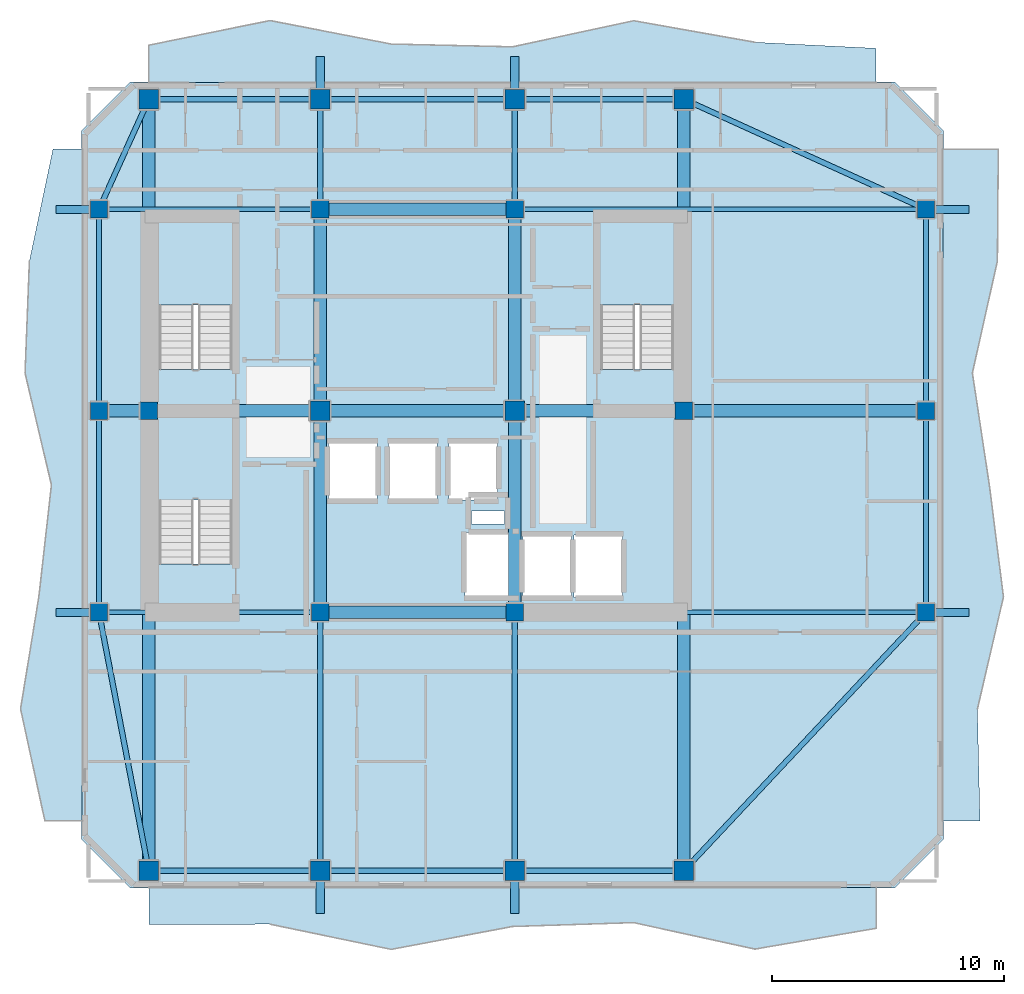
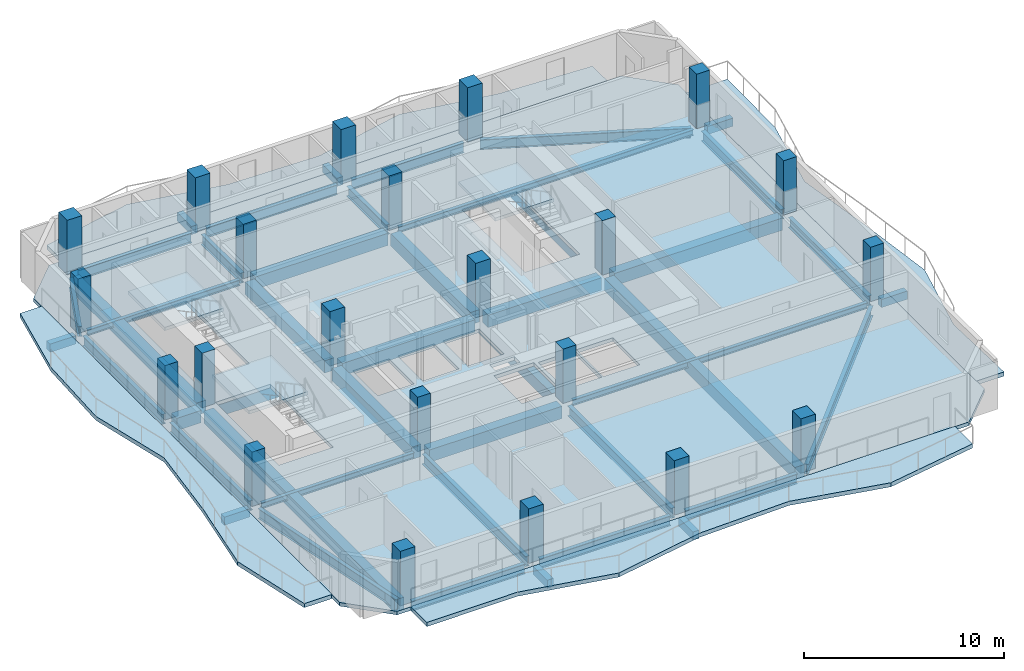
# One storey, part 1 of 9: 45 beams, 22 columns, 8 slabs, 3 elements without a shape of their own.
"""IFC4 building model written with IfcOpenShell, lengths in metres."""

from ifc_helpers import new_model, si_unit, direction, frame, origin, origin_2d, place, context, subcontext, project, spatial, polyline, rectangle, i_section, outline, extrude, material, layer, layer_set, material_profile, profile_set, type_object, element, aggregate, save


model = new_model("IFC4")

# Units and contexts
model_context = context("Model", 3, precision=1e-05, world=origin(), true_north=direction((0.0, 1.0)))
body_context = subcontext(model_context, "Body", "Model", "MODEL_VIEW")
ifc_project = project(units=[si_unit("LENGTHUNIT", "METRE"), si_unit("AREAUNIT", "SQUARE_METRE"), si_unit("VOLUMEUNIT", "CUBIC_METRE"), si_unit("PLANEANGLEUNIT", "RADIAN"), si_unit("MASSUNIT", "GRAM", prefix="KILO")], contexts=[model_context])

# Site, building, storey
site_placement = place(None, origin())
site = spatial("IfcSite", under=ifc_project, at=site_placement, CompositionType="ELEMENT")
building_placement = place(site_placement, origin())
building = spatial("IfcBuilding", under=site, at=building_placement, Name="Solanera Arch Residences", CompositionType="ELEMENT")
storey_placement = place(building_placement, frame((0.0, 0.0, 223.360107421875)))
storey = spatial("IfcBuildingStorey", under=building, at=storey_placement, Name="L65", CompositionType="ELEMENT", Elevation=223.360107421875)

# Columns
ifc_material_1 = material(Name="Concrete C40/50 (f'c = 45 MPa)", Category="concrete")
ifc_material_profile_1 = material_profile(ifc_material_1, rectangle(XDim=0.75, YDim=0.75, at=origin_2d()))
ifc_profile_set_1 = profile_set([ifc_material_profile_1], Name="Concrete C40/50 (f'c = 45 MPa)")
column_type_1 = type_object("IfcColumnType", Name="Structural Column RC-COL-750X750", PredefinedType="COLUMN", material=ifc_profile_set_1)
for number, where, z_axis, x_axis, name in (
    (1, (20.800048828125, 22.0, 0.0), (0.0, 0.0, 1.0), (1.0, 0.0, 0.0), "COL-L65-CB-SW"),
    (2, (29.199951171875, 22.0, 0.0), (0.0, 0.0, 1.0), (1.0, 0.0, 0.0), "COL-L65-CB-SE"),
    (3, (20.800048828125, 39.39990234375, 0.0), (0.0, 0.0, 1.0), (1.0, 0.0, 0.0), "COL-L65-CB-NW"),
    (4, (29.199951171875, 39.39990234375, 0.0), (0.0, 0.0, 1.0), (1.0, 0.0, 0.0), "COL-L65-CB-NE"),
    (5, (13.39990234375, 30.699951171875, 0.0), (0.0, 0.0, 1.0), (1.0, 0.0, 0.0), "COL-L65-CB-WW"),
    (6, (36.5, 30.699951171875, 0.0), (0.0, 0.0, 1.0), (1.0, 0.0, 0.0), "COL-L65-CB-EE"),
    (7, (11.25, 22.0, 0.0), (0.0, 0.0, 1.0), (1.0, 0.0, 0.0), "COL-L65-TWR-09"),
    (8, (46.949951171875, 22.0, 0.0), (0.0, 0.0, 1.0), (1.0, 0.0, 0.0), "COL-L65-TWR-10"),
    (9, (11.25, 30.699951171875, 0.0), (0.0, 0.0, 1.0), (1.0, 0.0, 0.0), "COL-L65-TWR-11"),
    (10, (46.949951171875, 30.699951171875, 0.0), (0.0, 0.0, 1.0), (1.0, 0.0, 0.0), "COL-L65-TWR-12"),
    (11, (11.25, 39.39990234375, 0.0), (0.0, 0.0, 1.0), (1.0, 0.0, 0.0), "COL-L65-TWR-13"),
    (12, (46.949951171875, 39.39990234375, 0.0), (0.0, 0.0, 1.0), (1.0, 0.0, 0.0), "COL-L65-TWR-14"),
):
    element("IfcColumn", number, at=place(storey_placement, frame(where, z_axis=z_axis, x_axis=x_axis)), inside=storey, type_object=column_type_1, Name=name, PredefinedType="COLUMN", context=body_context, shape_type="SweptSolid", body=[
        extrude(rectangle(XDim=0.75, YDim=0.75, at=origin_2d()), origin(), (0.0, 0.0, 1.0), 3.31982421875),
    ])
ifc_material_2 = material(Name="Concrete C40/50 (f'c = 45 MPa)", Category="concrete")
ifc_material_profile_2 = material_profile(ifc_material_2, rectangle(XDim=0.85009765625, YDim=0.85009765625, at=origin_2d()))
ifc_profile_set_2 = profile_set([ifc_material_profile_2], Name="Concrete C40/50 (f'c = 45 MPa)")
column_type_2 = type_object("IfcColumnType", Name="Structural Column RC-COL-850X850", PredefinedType="COLUMN", material=ifc_profile_set_2)
for number, where, z_axis, x_axis, name in (
    (13, (20.800048828125, 30.699951171875, 0.0), (0.0, 0.0, 1.0), (1.0, 0.0, 0.0), "COL-L65-CORE-W"),
    (14, (29.199951171875, 30.699951171875, 0.0), (0.0, 0.0, 1.0), (1.0, 0.0, 0.0), "COL-L65-CORE-E"),
    (15, (13.39990234375, 10.85009765625, 0.0), (0.0, 0.0, 1.0), (1.0, 0.0, 0.0), "COL-L65-TWR-01"),
    (16, (13.39990234375, 44.14990234375, 0.0), (0.0, 0.0, 1.0), (1.0, 0.0, 0.0), "COL-L65-TWR-02"),
    (17, (20.800048828125, 10.85009765625, 0.0), (0.0, 0.0, 1.0), (1.0, 0.0, 0.0), "COL-L65-TWR-03"),
    (18, (20.800048828125, 44.14990234375, 0.0), (0.0, 0.0, 1.0), (1.0, 0.0, 0.0), "COL-L65-TWR-04"),
    (19, (29.199951171875, 10.85009765625, 0.0), (0.0, 0.0, 1.0), (1.0, 0.0, 0.0), "COL-L65-TWR-05"),
    (20, (29.199951171875, 44.14990234375, 0.0), (0.0, 0.0, 1.0), (1.0, 0.0, 0.0), "COL-L65-TWR-06"),
    (21, (36.5, 10.85009765625, 0.0), (0.0, 0.0, 1.0), (1.0, 0.0, 0.0), "COL-L65-TWR-07"),
    (22, (36.5, 44.14990234375, 0.0), (0.0, 0.0, 1.0), (1.0, 0.0, 0.0), "COL-L65-TWR-08"),
):
    element("IfcColumn", number, at=place(storey_placement, frame(where, z_axis=z_axis, x_axis=x_axis)), inside=storey, type_object=column_type_2, Name=name, PredefinedType="COLUMN", context=body_context, shape_type="SweptSolid", body=[
        extrude(rectangle(XDim=0.85009765625, YDim=0.85009765625, at=origin_2d()), origin(), (0.0, 0.0, 1.0), 3.31982421875),
    ])

# Beams
ifc_material_3 = material(Name="Concrete C40/50 (f'c = 45 MPa)", Category="concrete")
ifc_material_profile_3 = material_profile(ifc_material_3, rectangle(XDim=0.35009765625, YDim=0.5, at=origin_2d()))
ifc_profile_set_3 = profile_set([ifc_material_profile_3], Name="Concrete C40/50 (f'c = 45 MPa)")
beam_type_1 = type_object("IfcBeamType", Name="BM-BALC-RIB", PredefinedType="BEAM", material=ifc_profile_set_3)
for number, where, z_axis, x_axis, name in (
    (23, (20.800048828125, 9.0, -0.5), (0.0, 1.0, 0.0), (-1.0, 0.0, 0.0), "BM-L65-BRIB-S1"),
    (24, (29.199951171875, 9.0, -0.5), (0.0, 1.0, 0.0), (-1.0, 0.0, 0.0), "BM-L65-BRIB-S2"),
    (25, (20.800048828125, 44.574951171875, -0.5), (0.0, 1.0, 0.0), (-1.0, 0.0, 0.0), "BM-L65-BRIB-N1"),
    (26, (29.199951171875, 44.574951171875, -0.5), (0.0, 1.0, 0.0), (-1.0, 0.0, 0.0), "BM-L65-BRIB-N2"),
):
    element("IfcBeam", number, at=place(storey_placement, frame(where, z_axis=z_axis, x_axis=x_axis)), inside=storey, type_object=beam_type_1, Name=name, PredefinedType="BEAM", context=body_context, shape_type="SweptSolid", body=[
        extrude(rectangle(XDim=0.35009765625, YDim=0.5, at=origin_2d()), origin(), (0.0, 0.0, 1.0), 1.425048828125),
    ])
for number, where, z_axis, x_axis, name in (
    (27, (47.324951171875, 22.0, -0.5), (1.0, 0.0, 0.0), (0.0, 1.0, 0.0), "BM-L65-BRIB-E1"),
    (28, (47.324951171875, 39.39990234375, -0.5), (1.0, 0.0, 0.0), (0.0, 1.0, 0.0), "BM-L65-BRIB-E2"),
    (29, (9.39990234375, 22.0, -0.5), (1.0, 0.0, 0.0), (0.0, 1.0, 0.0), "BM-L65-BRIB-W1"),
    (30, (9.39990234375, 39.39990234375, -0.5), (1.0, 0.0, 0.0), (0.0, 1.0, 0.0), "BM-L65-BRIB-W2"),
):
    element("IfcBeam", number, at=place(storey_placement, frame(where, z_axis=z_axis, x_axis=x_axis)), inside=storey, type_object=beam_type_1, Name=name, PredefinedType="BEAM", context=body_context, shape_type="SweptSolid", body=[
        extrude(rectangle(XDim=0.35009765625, YDim=0.5, at=origin_2d()), origin(), (0.0, 0.0, 1.0), 1.47509765625),
    ])
ifc_material_4 = material(Name="Concrete C40/50 (f'c = 45 MPa)", Category="concrete")
ifc_material_profile_4 = material_profile(ifc_material_4, rectangle(XDim=0.550048828125, YDim=0.75, at=origin_2d()))
ifc_profile_set_4 = profile_set([ifc_material_profile_4], Name="Concrete C40/50 (f'c = 45 MPa)")
beam_type_2 = type_object("IfcBeamType", Name="Primary Beam RC-BM-550X750", PredefinedType="BEAM", material=ifc_profile_set_4)
beam_1_placement = place(storey_placement, frame((20.800048828125, 22.37890625, -0.59521484375), z_axis=(0.0, 1.0, 0.0), x_axis=(-1.0, 0.0, 0.0)))
element("IfcBeam", 31, at=beam_1_placement, inside=storey, type_object=beam_type_2, Name="BM-L65-CC-S-208", PredefinedType="BEAM", context=body_context, shape_type="SweptSolid", body=[
    extrude(rectangle(XDim=0.550048828125, YDim=0.75, at=origin_2d()), origin(), (0.0, 0.0, 1.0), 7.942138671875),
])
beam_2_placement = place(storey_placement, frame((20.800048828125, 31.0791015625, -0.59521484375), z_axis=(0.0, 1.0, 0.0), x_axis=(-1.0, 0.0, 0.0)))
element("IfcBeam", 32, at=beam_2_placement, inside=storey, type_object=beam_type_2, Name="BM-L65-CC-N-208", PredefinedType="BEAM", context=body_context, shape_type="SweptSolid", body=[
    extrude(rectangle(XDim=0.550048828125, YDim=0.75, at=origin_2d()), origin(), (0.0, 0.0, 1.0), 7.94189453125),
])
beam_3_placement = place(storey_placement, frame((29.199951171875, 22.37890625, -0.59521484375), z_axis=(0.0, 1.0, 0.0), x_axis=(-1.0, 0.0, 0.0)))
element("IfcBeam", 33, at=beam_3_placement, inside=storey, type_object=beam_type_2, Name="BM-L65-CC-S-292", PredefinedType="BEAM", context=body_context, shape_type="SweptSolid", body=[
    extrude(rectangle(XDim=0.550048828125, YDim=0.75, at=origin_2d()), origin(), (0.0, 0.0, 1.0), 7.942138671875),
])
beam_4_placement = place(storey_placement, frame((29.199951171875, 31.0791015625, -0.59521484375), z_axis=(0.0, 1.0, 0.0), x_axis=(-1.0, 0.0, 0.0)))
element("IfcBeam", 34, at=beam_4_placement, inside=storey, type_object=beam_type_2, Name="BM-L65-CC-N-292", PredefinedType="BEAM", context=body_context, shape_type="SweptSolid", body=[
    extrude(rectangle(XDim=0.550048828125, YDim=0.75, at=origin_2d()), origin(), (0.0, 0.0, 1.0), 7.94189453125),
])
for number, where, z_axis, x_axis, name in (
    (35, (21.178955078125, 22.0, -0.59521484375), (1.0, 0.0, 0.0), (0.0, 1.0, 0.0), "BM-L65-CC-M-220"),
    (36, (21.178955078125, 30.699951171875, -0.59521484375), (1.0, 0.0, 0.0), (0.0, 1.0, 0.0), "BM-L65-CC-M-307"),
    (37, (21.178955078125, 39.39990234375, -0.59521484375), (1.0, 0.0, 0.0), (0.0, 1.0, 0.0), "BM-L65-CC-M-394"),
):
    element("IfcBeam", number, at=place(storey_placement, frame(where, z_axis=z_axis, x_axis=x_axis)), inside=storey, type_object=beam_type_2, Name=name, PredefinedType="BEAM", context=body_context, shape_type="SweptSolid", body=[
        extrude(rectangle(XDim=0.550048828125, YDim=0.75, at=origin_2d()), origin(), (0.0, 0.0, 1.0), 7.64208984375),
    ])
beam_5_placement = place(storey_placement, frame((13.779052734375, 30.699951171875, -0.59521484375), z_axis=(1.0, 0.0, 0.0), x_axis=(0.0, 1.0, 0.0)))
element("IfcBeam", 38, at=beam_5_placement, inside=storey, type_object=beam_type_2, Name="BM-L65-CC-W", PredefinedType="BEAM", context=body_context, shape_type="SweptSolid", body=[
    extrude(rectangle(XDim=0.550048828125, YDim=0.75, at=origin_2d()), origin(), (0.0, 0.0, 1.0), 6.641845703125),
])
beam_6_placement = place(storey_placement, frame((29.5791015625, 30.699951171875, -0.59521484375), z_axis=(1.0, 0.0, 0.0), x_axis=(0.0, 1.0, 0.0)))
element("IfcBeam", 39, at=beam_6_placement, inside=storey, type_object=beam_type_2, Name="BM-L65-CC-E", PredefinedType="BEAM", context=body_context, shape_type="SweptSolid", body=[
    extrude(rectangle(XDim=0.550048828125, YDim=0.75, at=origin_2d()), origin(), (0.0, 0.0, 1.0), 6.5419921875),
])
beam_7_placement = place(storey_placement, frame((13.39990234375, 11.279052734375, -0.59521484375), z_axis=(0.0, 1.0, 0.0), x_axis=(-1.0, 0.0, 0.0)))
element("IfcBeam", 40, at=beam_7_placement, inside=storey, type_object=beam_type_2, Name="BM-L65-RAD-OS-134", PredefinedType="BEAM", context=body_context, shape_type="SweptSolid", body=[
    extrude(rectangle(XDim=0.550048828125, YDim=0.75, at=origin_2d()), origin(), (0.0, 0.0, 1.0), 19.0419921875),
])
beam_8_placement = place(storey_placement, frame((13.39990234375, 31.0791015625, -0.59521484375), z_axis=(0.0, 1.0, 0.0), x_axis=(-1.0, 0.0, 0.0)))
element("IfcBeam", 41, at=beam_8_placement, inside=storey, type_object=beam_type_2, Name="BM-L65-RAD-ON-134", PredefinedType="BEAM", context=body_context, shape_type="SweptSolid", body=[
    extrude(rectangle(XDim=0.550048828125, YDim=0.75, at=origin_2d()), origin(), (0.0, 0.0, 1.0), 12.641845703125),
])
beam_9_placement = place(storey_placement, frame((36.5, 11.279052734375, -0.59521484375), z_axis=(0.0, 1.0, 0.0), x_axis=(-1.0, 0.0, 0.0)))
element("IfcBeam", 42, at=beam_9_placement, inside=storey, type_object=beam_type_2, Name="BM-L65-RAD-OS-365", PredefinedType="BEAM", context=body_context, shape_type="SweptSolid", body=[
    extrude(rectangle(XDim=0.550048828125, YDim=0.75, at=origin_2d()), origin(), (0.0, 0.0, 1.0), 19.0419921875),
])
beam_10_placement = place(storey_placement, frame((36.5, 31.0791015625, -0.59521484375), z_axis=(0.0, 1.0, 0.0), x_axis=(-1.0, 0.0, 0.0)))
element("IfcBeam", 43, at=beam_10_placement, inside=storey, type_object=beam_type_2, Name="BM-L65-RAD-ON-365", PredefinedType="BEAM", context=body_context, shape_type="SweptSolid", body=[
    extrude(rectangle(XDim=0.550048828125, YDim=0.75, at=origin_2d()), origin(), (0.0, 0.0, 1.0), 12.641845703125),
])
beam_11_placement = place(storey_placement, frame((11.62890625, 30.699951171875, -0.59521484375), z_axis=(1.0, 0.0, 0.0), x_axis=(0.0, 1.0, 0.0)))
element("IfcBeam", 44, at=beam_11_placement, inside=storey, type_object=beam_type_2, Name="BM-L65-RAD-MW", PredefinedType="BEAM", context=body_context, shape_type="SweptSolid", body=[
    extrude(rectangle(XDim=0.550048828125, YDim=0.75, at=origin_2d()), origin(), (0.0, 0.0, 1.0), 1.39208984375),
])
beam_12_placement = place(storey_placement, frame((36.87890625, 30.699951171875, -0.59521484375), z_axis=(1.0, 0.0, 0.0), x_axis=(0.0, 1.0, 0.0)))
element("IfcBeam", 45, at=beam_12_placement, inside=storey, type_object=beam_type_2, Name="BM-L65-RAD-ME", PredefinedType="BEAM", context=body_context, shape_type="SweptSolid", body=[
    extrude(rectangle(XDim=0.550048828125, YDim=0.75, at=origin_2d()), origin(), (0.0, 0.0, 1.0), 9.692138671875),
])
ifc_material_5 = material(Name="Steel S355 (ASTM A992 / A572 Grade 50)", Category="steel")
ifc_material_profile_5 = material_profile(ifc_material_5, i_section(OverallWidth=0.22998046875, OverallDepth=0.616943359375, WebThickness=0.01318359375, FlangeThickness=0.022216796875, at=origin_2d()))
ifc_profile_set_5 = profile_set([ifc_material_profile_5], Name="Steel S355 (ASTM A992 / A572 Grade 50)")
beam_type_3 = type_object("IfcBeamType", Name="Primary Beam W610X140", PredefinedType="BEAM", material=ifc_profile_set_5)
beam_13_placement = place(storey_placement, frame((20.800048828125, 11.279052734375, -0.529052734375), z_axis=(0.0, 1.0, 0.0), x_axis=(-1.0, 0.0, 0.0)))
element("IfcBeam", 46, at=beam_13_placement, inside=storey, type_object=beam_type_3, Name="BM-L65-RAD-S-208", PredefinedType="BEAM", context=body_context, shape_type="SweptSolid", body=[
    extrude(i_section(OverallWidth=0.22998046875, OverallDepth=0.616943359375, WebThickness=0.01318359375, FlangeThickness=0.022216796875, at=origin_2d()), origin(), (0.0, 0.0, 1.0), 10.342041015625),
])
beam_14_placement = place(storey_placement, frame((20.800048828125, 39.779052734375, -0.529052734375), z_axis=(0.0, 1.0, 0.0), x_axis=(-1.0, 0.0, 0.0)))
element("IfcBeam", 47, at=beam_14_placement, inside=storey, type_object=beam_type_3, Name="BM-L65-RAD-N-208", PredefinedType="BEAM", context=body_context, shape_type="SweptSolid", body=[
    extrude(i_section(OverallWidth=0.22998046875, OverallDepth=0.616943359375, WebThickness=0.01318359375, FlangeThickness=0.022216796875, at=origin_2d()), origin(), (0.0, 0.0, 1.0), 3.94189453125),
])
beam_15_placement = place(storey_placement, frame((29.199951171875, 11.279052734375, -0.529052734375), z_axis=(0.0, 1.0, 0.0), x_axis=(-1.0, 0.0, 0.0)))
element("IfcBeam", 48, at=beam_15_placement, inside=storey, type_object=beam_type_3, Name="BM-L65-RAD-S-292", PredefinedType="BEAM", context=body_context, shape_type="SweptSolid", body=[
    extrude(i_section(OverallWidth=0.22998046875, OverallDepth=0.616943359375, WebThickness=0.01318359375, FlangeThickness=0.022216796875, at=origin_2d()), origin(), (0.0, 0.0, 1.0), 10.342041015625),
])
beam_16_placement = place(storey_placement, frame((29.199951171875, 39.779052734375, -0.529052734375), z_axis=(0.0, 1.0, 0.0), x_axis=(-1.0, 0.0, 0.0)))
element("IfcBeam", 49, at=beam_16_placement, inside=storey, type_object=beam_type_3, Name="BM-L65-RAD-N-292", PredefinedType="BEAM", context=body_context, shape_type="SweptSolid", body=[
    extrude(i_section(OverallWidth=0.22998046875, OverallDepth=0.616943359375, WebThickness=0.01318359375, FlangeThickness=0.022216796875, at=origin_2d()), origin(), (0.0, 0.0, 1.0), 3.94189453125),
])
ifc_material_6 = material(Name="Steel S355 (ASTM A992 / A572 Grade 50)", Category="steel")
ifc_material_profile_6 = material_profile(ifc_material_6, i_section(OverallWidth=0.205078125, OverallDepth=0.35400390625, WebThickness=0.009521484375, FlangeThickness=0.016845703125, at=origin_2d()))
ifc_profile_set_6 = profile_set([ifc_material_profile_6], Name="Steel S355 (ASTM A992 / A572 Grade 50)")
beam_type_4 = type_object("IfcBeamType", Name="Secondary Joist W360X79", PredefinedType="JOIST", material=ifc_profile_set_6)
beam_17_placement = place(storey_placement, frame((11.62890625, 22.0, -0.397216796875), z_axis=(1.0, 0.0, 0.0), x_axis=(0.0, 1.0, 0.0)))
element("IfcBeam", 50, at=beam_17_placement, inside=storey, type_object=beam_type_4, Name="BM-L65-RAD-W-220", PredefinedType="JOIST", context=body_context, shape_type="SweptSolid", body=[
    extrude(i_section(OverallWidth=0.205078125, OverallDepth=0.35400390625, WebThickness=0.009521484375, FlangeThickness=0.016845703125, at=origin_2d()), origin(), (0.0, 0.0, 1.0), 8.7919921875),
])
beam_18_placement = place(storey_placement, frame((29.5791015625, 22.0, -0.397216796875), z_axis=(1.0, 0.0, 0.0), x_axis=(0.0, 1.0, 0.0)))
element("IfcBeam", 51, at=beam_18_placement, inside=storey, type_object=beam_type_4, Name="BM-L65-RAD-E-220", PredefinedType="JOIST", context=body_context, shape_type="SweptSolid", body=[
    extrude(i_section(OverallWidth=0.205078125, OverallDepth=0.35400390625, WebThickness=0.009521484375, FlangeThickness=0.016845703125, at=origin_2d()), origin(), (0.0, 0.0, 1.0), 16.991943359375),
])
beam_19_placement = place(storey_placement, frame((11.62890625, 39.39990234375, -0.397216796875), z_axis=(1.0, 0.0, 0.0), x_axis=(0.0, 1.0, 0.0)))
element("IfcBeam", 52, at=beam_19_placement, inside=storey, type_object=beam_type_4, Name="BM-L65-RAD-W-394", PredefinedType="JOIST", context=body_context, shape_type="SweptSolid", body=[
    extrude(i_section(OverallWidth=0.205078125, OverallDepth=0.35400390625, WebThickness=0.009521484375, FlangeThickness=0.016845703125, at=origin_2d()), origin(), (0.0, 0.0, 1.0), 8.7919921875),
])
beam_20_placement = place(storey_placement, frame((29.5791015625, 39.39990234375, -0.397216796875), z_axis=(1.0, 0.0, 0.0), x_axis=(0.0, 1.0, 0.0)))
element("IfcBeam", 53, at=beam_20_placement, inside=storey, type_object=beam_type_4, Name="BM-L65-RAD-E-394", PredefinedType="JOIST", context=body_context, shape_type="SweptSolid", body=[
    extrude(i_section(OverallWidth=0.205078125, OverallDepth=0.35400390625, WebThickness=0.009521484375, FlangeThickness=0.016845703125, at=origin_2d()), origin(), (0.0, 0.0, 1.0), 16.991943359375),
])
ifc_material_7 = material(Name="Steel S355 (ASTM A992 / A572 Grade 50)", Category="steel")
ifc_material_profile_7 = material_profile(ifc_material_7, i_section(OverallWidth=0.22802734375, OverallDepth=0.60791015625, WebThickness=0.01123046875, FlangeThickness=0.017333984375, at=origin_2d()))
ifc_profile_set_7 = profile_set([ifc_material_profile_7], Name="Steel S355 (ASTM A992 / A572 Grade 50)")
beam_type_5 = type_object("IfcBeamType", Name="Spandrel Beam W610X113", PredefinedType="SPANDREL", material=ifc_profile_set_7)
for number, where, z_axis, x_axis, name in (
    (54, (13.8291015625, 10.85009765625, -0.524169921875), (1.0, 0.0, 0.0), (0.0, 1.0, 0.0), "BM-L65-SPN-S-1"),
    (55, (13.8291015625, 44.14990234375, -0.524169921875), (1.0, 0.0, 0.0), (0.0, 1.0, 0.0), "BM-L65-SPN-N-1"),
):
    element("IfcBeam", number, at=place(storey_placement, frame(where, z_axis=z_axis, x_axis=x_axis)), inside=storey, type_object=beam_type_5, Name=name, PredefinedType="SPANDREL", context=body_context, shape_type="SweptSolid", body=[
        extrude(i_section(OverallWidth=0.22802734375, OverallDepth=0.60791015625, WebThickness=0.01123046875, FlangeThickness=0.017333984375, at=origin_2d()), origin(), (0.0, 0.0, 1.0), 6.5419921875),
    ])
for number, where, z_axis, x_axis, name in (
    (56, (21.22900390625, 10.85009765625, -0.524169921875), (1.0, 0.0, 0.0), (0.0, 1.0, 0.0), "BM-L65-SPN-S-2"),
    (57, (21.22900390625, 44.14990234375, -0.524169921875), (1.0, 0.0, 0.0), (0.0, 1.0, 0.0), "BM-L65-SPN-N-2"),
):
    element("IfcBeam", number, at=place(storey_placement, frame(where, z_axis=z_axis, x_axis=x_axis)), inside=storey, type_object=beam_type_5, Name=name, PredefinedType="SPANDREL", context=body_context, shape_type="SweptSolid", body=[
        extrude(i_section(OverallWidth=0.22802734375, OverallDepth=0.60791015625, WebThickness=0.01123046875, FlangeThickness=0.017333984375, at=origin_2d()), origin(), (0.0, 0.0, 1.0), 7.5419921875),
    ])
for number, where, z_axis, x_axis, name in (
    (58, (29.62890625, 10.85009765625, -0.524169921875), (1.0, 0.0, 0.0), (0.0, 1.0, 0.0), "BM-L65-SPN-S-3"),
    (59, (29.62890625, 44.14990234375, -0.524169921875), (1.0, 0.0, 0.0), (0.0, 1.0, 0.0), "BM-L65-SPN-N-3"),
):
    element("IfcBeam", number, at=place(storey_placement, frame(where, z_axis=z_axis, x_axis=x_axis)), inside=storey, type_object=beam_type_5, Name=name, PredefinedType="SPANDREL", context=body_context, shape_type="SweptSolid", body=[
        extrude(i_section(OverallWidth=0.22802734375, OverallDepth=0.60791015625, WebThickness=0.01123046875, FlangeThickness=0.017333984375, at=origin_2d()), origin(), (0.0, 0.0, 1.0), 6.442138671875),
    ])
for number, where, z_axis, x_axis, name in (
    (60, (11.25, 22.37890625, -0.524169921875), (0.0, 1.0, 0.0), (-1.0, 0.0, 0.0), "BM-L65-SPN-W-1"),
    (61, (46.949951171875, 22.37890625, -0.524169921875), (0.0, 1.0, 0.0), (-1.0, 0.0, 0.0), "BM-L65-SPN-E-1"),
):
    element("IfcBeam", number, at=place(storey_placement, frame(where, z_axis=z_axis, x_axis=x_axis)), inside=storey, type_object=beam_type_5, Name=name, PredefinedType="SPANDREL", context=body_context, shape_type="SweptSolid", body=[
        extrude(i_section(OverallWidth=0.22802734375, OverallDepth=0.60791015625, WebThickness=0.01123046875, FlangeThickness=0.017333984375, at=origin_2d()), origin(), (0.0, 0.0, 1.0), 7.942138671875),
    ])
for number, where, z_axis, x_axis, name in (
    (62, (11.25, 31.0791015625, -0.524169921875), (0.0, 1.0, 0.0), (-1.0, 0.0, 0.0), "BM-L65-SPN-W-2"),
    (63, (46.949951171875, 31.0791015625, -0.524169921875), (0.0, 1.0, 0.0), (-1.0, 0.0, 0.0), "BM-L65-SPN-E-2"),
):
    element("IfcBeam", number, at=place(storey_placement, frame(where, z_axis=z_axis, x_axis=x_axis)), inside=storey, type_object=beam_type_5, Name=name, PredefinedType="SPANDREL", context=body_context, shape_type="SweptSolid", body=[
        extrude(i_section(OverallWidth=0.22802734375, OverallDepth=0.60791015625, WebThickness=0.01123046875, FlangeThickness=0.017333984375, at=origin_2d()), origin(), (0.0, 0.0, 1.0), 7.94189453125),
    ])
beam_21_placement = place(storey_placement, frame((13.31689453125, 11.279052734375, -0.524169921875), z_axis=(-0.189309049989, 0.981917554376, 0.0), x_axis=(-0.981917554376, -0.189309049989, 0.0)))
element("IfcBeam", 64, at=beam_21_placement, inside=storey, type_object=beam_type_5, Name="BM-L65-SPN-SW", PredefinedType="SPANDREL", context=body_context, shape_type="SweptSolid", body=[
    extrude(i_section(OverallWidth=0.22802734375, OverallDepth=0.60791015625, WebThickness=0.01123046875, FlangeThickness=0.017333984375, at=origin_2d()), origin(), (0.0, 0.0, 1.0), 10.532470703125),
])
beam_22_placement = place(storey_placement, frame((13.2060546875, 43.720947265625, -0.524169921875), z_axis=(-0.412535820952, -0.910941379251, 0.0), x_axis=(0.910941379251, -0.412535820952, 0.0)))
element("IfcBeam", 65, at=beam_22_placement, inside=storey, type_object=beam_type_5, Name="BM-L65-SPN-NW", PredefinedType="SPANDREL", context=body_context, shape_type="SweptSolid", body=[
    extrude(i_section(OverallWidth=0.22802734375, OverallDepth=0.60791015625, WebThickness=0.01123046875, FlangeThickness=0.017333984375, at=origin_2d()), origin(), (0.0, 0.0, 1.0), 4.327392578125),
])
beam_23_placement = place(storey_placement, frame((36.868896484375, 11.243896484375, -0.524169921875), z_axis=(0.68384805947, 0.72962444556, 0.0), x_axis=(-0.72962444556, 0.68384805947, 0.0)))
element("IfcBeam", 66, at=beam_23_placement, inside=storey, type_object=beam_type_5, Name="BM-L65-SPN-SE", PredefinedType="SPANDREL", context=body_context, shape_type="SweptSolid", body=[
    extrude(i_section(OverallWidth=0.22802734375, OverallDepth=0.60791015625, WebThickness=0.01123046875, FlangeThickness=0.017333984375, at=origin_2d()), origin(), (0.0, 0.0, 1.0), 14.223876953125),
])
beam_24_placement = place(storey_placement, frame((36.928955078125, 43.955078125, -0.524169921875), z_axis=(0.910356214976, -0.413825521028, 0.0), x_axis=(0.413825521028, 0.910356214976, 0.0)))
element("IfcBeam", 67, at=beam_24_placement, inside=storey, type_object=beam_type_5, Name="BM-L65-SPN-NE", PredefinedType="SPANDREL", context=body_context, shape_type="SweptSolid", body=[
    extrude(i_section(OverallWidth=0.22802734375, OverallDepth=0.60791015625, WebThickness=0.01123046875, FlangeThickness=0.017333984375, at=origin_2d()), origin(), (0.0, 0.0, 1.0), 10.591552734375),
])

# Slabs
ifc_material_8 = material(Name="Concrete C40/50 (f'c = 45 MPa)", Category="concrete")
ifc_layer_1 = layer(ifc_material_8, 0.25)
ifc_layer_set_1 = layer_set([ifc_layer_1], Name="Concrete C40/50 (f'c = 45 MPa)")
slab_type_1 = type_object("IfcSlabType", Name="Balcony Slab 250", PredefinedType="FLOOR", material=ifc_layer_set_1)
slab_1_placement = place(storey_placement, frame((0.0, 0.0, -0.25)))
element("IfcSlab", 68, at=slab_1_placement, inside=storey, type_object=slab_type_1, Name="L65 S Rippling Brise-Soleil Balcony Slab", PredefinedType="FLOOR", context=body_context, shape_type="SweptSolid", body=[
    extrude(outline(polyline([(13.39990234375, 8.514892578125), (18.633056640625, 8.5390625), (23.866943359375, 7.451904296875), (29.10009765625, 8.43994140625), (34.3330078125, 8.60693359375), (39.56689453125, 7.464111328125), (44.800048828125, 8.362060546875), (44.800048828125, 10.1201171875), (13.39990234375, 10.1201171875), (13.39990234375, 8.514892578125)])), origin(), (0.0, 0.0, 1.0), 0.25),
])
slab_2_placement = place(storey_placement, frame((0.0, 0.0, -0.25)))
element("IfcSlab", 69, at=slab_2_placement, inside=storey, type_object=slab_type_1, Name="L65 N Rippling Brise-Soleil Balcony Slab", PredefinedType="FLOOR", context=body_context, shape_type="SweptSolid", body=[
    extrude(outline(polyline([(44.800048828125, 46.35107421875), (39.56689453125, 46.612060546875), (34.3330078125, 47.541015625), (29.10009765625, 46.4150390625), (23.866943359375, 46.533935546875), (18.633056640625, 47.549072265625), (13.39990234375, 46.485107421875), (13.39990234375, 44.8798828125), (44.800048828125, 44.8798828125), (44.800048828125, 46.35107421875)])), origin(), (0.0, 0.0, 1.0), 0.25),
])
slab_3_placement = place(storey_placement, frame((0.0, 0.0, -0.25)))
element("IfcSlab", 70, at=slab_3_placement, inside=storey, type_object=slab_type_1, Name="L65 E Rippling Brise-Soleil Balcony Slab", PredefinedType="FLOOR", context=body_context, shape_type="SweptSolid", body=[
    extrude(outline(polyline([(49.284912109375, 13.0), (49.172119140625, 17.8330078125), (50.2958984375, 22.6669921875), (49.68603515625, 27.5), (48.9541015625, 32.3330078125), (50.033935546875, 37.1669921875), (50.072021484375, 42.0), (47.679931640625, 42.0), (47.679931640625, 13.0), (49.284912109375, 13.0)])), origin(), (0.0, 0.0, 1.0), 0.25),
])
slab_4_placement = place(storey_placement, frame((0.0, 0.0, -0.25)))
element("IfcSlab", 71, at=slab_4_placement, inside=storey, type_object=slab_type_1, Name="L65 W Rippling Brise-Soleil Balcony Slab", PredefinedType="FLOOR", context=body_context, shape_type="SweptSolid", body=[
    extrude(outline(polyline([(9.263916015625, 42.0), (8.24609375, 37.1669921875), (8.05810546875, 32.3330078125), (9.197021484375, 27.5), (8.653076171875, 22.6669921875), (7.864013671875, 17.8330078125), (8.9150390625, 13.0), (10.52001953125, 13.0), (10.52001953125, 42.0), (9.263916015625, 42.0)])), origin(), (0.0, 0.0, 1.0), 0.25),
])

# Stair, slab
ifc_material_9 = material(Name="Concrete C40/50 (f'c = 45 MPa)", Category="concrete")
stair_type = type_object("IfcStairType", Name="Tower Dogleg Exit Stair 1480", PredefinedType="HALF_TURN_STAIR", material=ifc_material_9)
stair_1_placement = place(storey_placement, origin())
stair_1 = element("IfcStair", 72, at=stair_1_placement, inside=storey, type_object=stair_type, Name="L65 Tower Core Exit Stair 1", PredefinedType="HALF_TURN_STAIR")
ifc_material_10 = material(Name="Concrete C40/50 (f'c = 45 MPa)", Category="concrete")
ifc_layer_2 = layer(ifc_material_10, 0.199951171875)
ifc_layer_set_2 = layer_set([ifc_layer_2], Name="Concrete C40/50 (f'c = 45 MPa)")
slab_type_2 = type_object("IfcSlabType", Name="Stair Half-Landing Slab 200", PredefinedType="LANDING", material=ifc_layer_set_2)
slab_5_placement = place(storey_placement, frame((0.0, 0.0, 1.4599609375)))
slab_5 = element("IfcSlab", 73, at=slab_5_placement, type_object=slab_type_2, Name="ST-T1 landing 1", PredefinedType="LANDING", context=body_context, shape_type="SweptSolid", body=[
    extrude(outline(polyline([(17.1201171875, 35.260009765625), (17.1201171875, 38.919921875), (13.719970703125, 38.919921875), (13.719970703125, 35.260009765625), (17.1201171875, 35.260009765625)])), origin(), (0.0, 0.0, 1.0), 0.199951171875),
])
aggregate(stair_1, [slab_5])

stair_2_placement = place(storey_placement, origin())
stair_2 = element("IfcStair", 74, at=stair_2_placement, inside=storey, type_object=stair_type, Name="L65 Tower Core Exit Stair 2", PredefinedType="HALF_TURN_STAIR")
slab_6_placement = place(storey_placement, frame((0.0, 0.0, 1.4599609375)))
slab_6 = element("IfcSlab", 75, at=slab_6_placement, type_object=slab_type_2, Name="ST-T2 landing 1", PredefinedType="LANDING", context=body_context, shape_type="SweptSolid", body=[
    extrude(outline(polyline([(36.179931640625, 35.260009765625), (36.179931640625, 38.919921875), (32.780029296875, 38.919921875), (32.780029296875, 35.260009765625), (36.179931640625, 35.260009765625)])), origin(), (0.0, 0.0, 1.0), 0.199951171875),
])
aggregate(stair_2, [slab_6])

stair_3_placement = place(storey_placement, origin())
stair_3 = element("IfcStair", 76, at=stair_3_placement, inside=storey, type_object=stair_type, Name="L65 Tower Core Exit Stair 3", PredefinedType="HALF_TURN_STAIR")
slab_7_placement = place(storey_placement, frame((0.0, 0.0, 1.4599609375)))
slab_7 = element("IfcSlab", 77, at=slab_7_placement, type_object=slab_type_2, Name="ST-T3 landing 1", PredefinedType="LANDING", context=body_context, shape_type="SweptSolid", body=[
    extrude(outline(polyline([(17.1201171875, 26.860107421875), (17.1201171875, 30.52001953125), (13.719970703125, 30.52001953125), (13.719970703125, 26.860107421875), (17.1201171875, 26.860107421875)])), origin(), (0.0, 0.0, 1.0), 0.199951171875),
])
aggregate(stair_3, [slab_7])

# Slab
ifc_material_11 = material(Name="Concrete C40/50 (f'c = 45 MPa)", Category="concrete")
ifc_layer_3 = layer(ifc_material_11, 0.219970703125)
ifc_layer_set_3 = layer_set([ifc_layer_3], Name="Concrete C40/50 (f'c = 45 MPa)")
slab_type_3 = type_object("IfcSlabType", Name="Suspended Floor Slab Post-Tensioned 220", PredefinedType="FLOOR", material=ifc_layer_set_3)
slab_8_placement = place(storey_placement, frame((0.0, 0.0, -0.22021484375)))
element("IfcSlab", 78, at=slab_8_placement, inside=storey, type_object=slab_type_3, Name="L65 Tower Post-Tensioned Floor Slab", PredefinedType="FLOOR", context=body_context, shape_type="SweptSolid", body=[
    extrude(outline(polyline([(12.60009765625, 10.10009765625), (45.60009765625, 10.10009765625), (47.699951171875, 12.199951171875), (47.699951171875, 42.800048828125), (45.60009765625, 44.89990234375), (12.60009765625, 44.89990234375), (10.5, 42.800048828125), (10.5, 12.199951171875), (12.60009765625, 10.10009765625)]), holes=[polyline([(13.840087890625, 32.48291015625), (13.840087890625, 38.800048828125), (17.0, 38.800048828125), (17.0, 32.48291015625), (13.840087890625, 32.48291015625)]), polyline([(32.89990234375, 32.48291015625), (32.89990234375, 38.800048828125), (36.06005859375, 38.800048828125), (36.06005859375, 32.48291015625), (32.89990234375, 32.48291015625)]), polyline([(13.840087890625, 24.0830078125), (13.840087890625, 30.39990234375), (17.0, 30.39990234375), (17.0, 24.0830078125), (13.840087890625, 24.0830078125)]), polyline([(21.14990234375, 29.35009765625), (23.25, 29.35009765625), (23.25, 26.85009765625), (21.14990234375, 26.85009765625), (21.14990234375, 29.35009765625)]), polyline([(23.75, 29.35009765625), (25.85009765625, 29.35009765625), (25.85009765625, 26.85009765625), (23.75, 26.85009765625), (23.75, 29.35009765625)]), polyline([(26.35009765625, 29.35009765625), (28.449951171875, 29.35009765625), (28.449951171875, 26.85009765625), (26.35009765625, 26.85009765625), (26.35009765625, 29.35009765625)]), polyline([(29.550048828125, 25.35009765625), (31.64990234375, 25.35009765625), (31.64990234375, 22.64990234375), (29.550048828125, 22.64990234375), (29.550048828125, 25.35009765625)]), polyline([(31.75, 25.35009765625), (33.85009765625, 25.35009765625), (33.85009765625, 22.64990234375), (31.75, 22.64990234375), (31.75, 25.35009765625)]), polyline([(27.050048828125, 25.449951171875), (29.35009765625, 25.449951171875), (29.35009765625, 22.64990234375), (27.050048828125, 22.64990234375), (27.050048828125, 25.449951171875)]), polyline([(27.340087890625, 26.3798828125), (28.760009765625, 26.3798828125), (28.760009765625, 25.820068359375), (27.340087890625, 25.820068359375), (27.340087890625, 26.3798828125)])]), origin(), (0.0, 0.0, 1.0), 0.22021484375),
])

save(model, "model.ifc")
